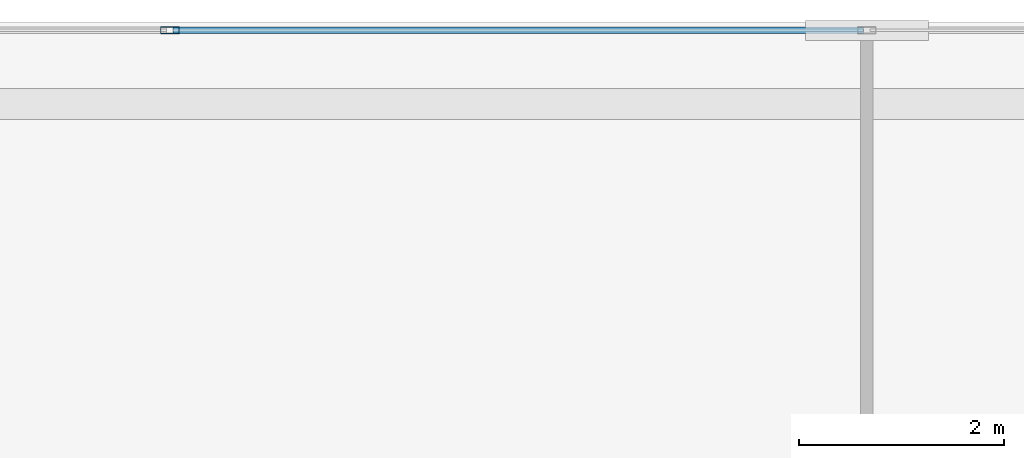
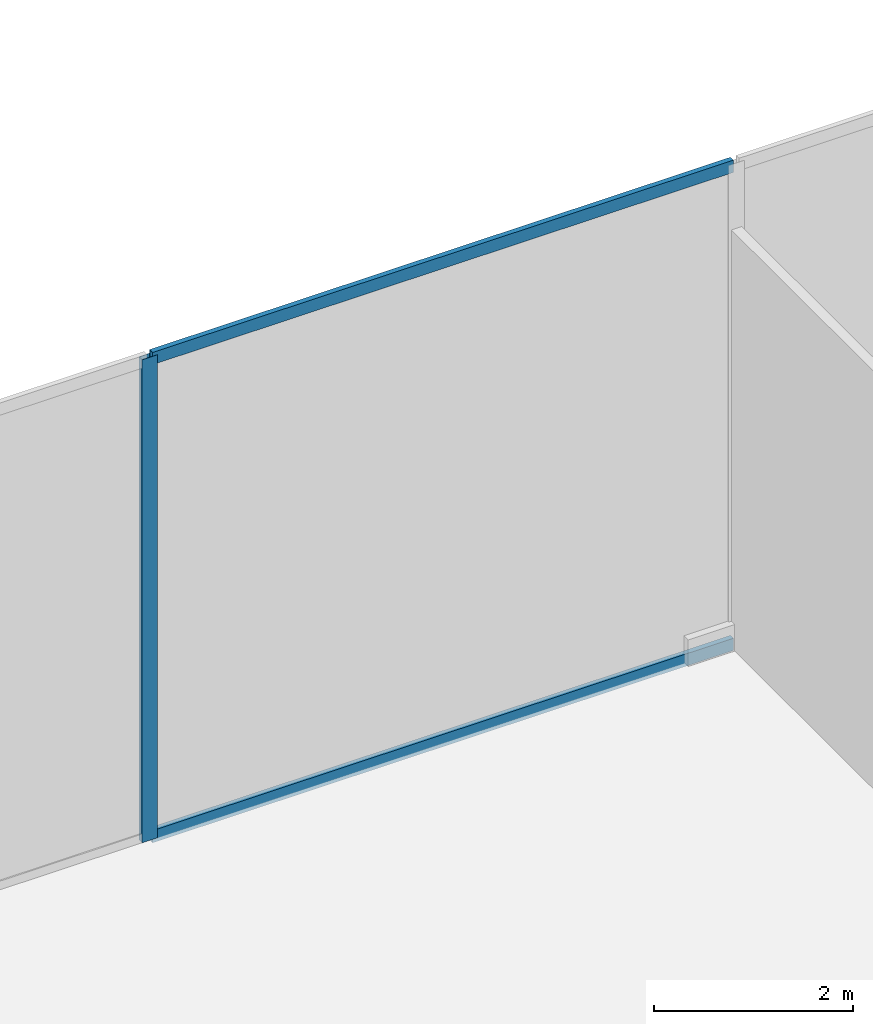
# One storey, part 22 of 41: 3 members, 1 element without a shape of its own.
"""IFC4 building model written with IfcOpenShell, lengths in metres."""

from ifc_helpers import new_model, si_unit, direction, frame, origin, origin_2d, place, context, subcontext, project, spatial, hollow_rectangle, extrude, source, transform, mapped, material, layer, layer_set, material_profile, profile_set, type_object, element, aggregate, save


model = new_model("IFC4")

# Units and contexts
model_context = context("Model", 3, precision=1e-05, world=origin(), true_north=direction((0.0, 1.0)))
body_context = subcontext(model_context, "Body", "Model", "MODEL_VIEW")
ifc_project = project(units=[si_unit("LENGTHUNIT", "METRE"), si_unit("AREAUNIT", "SQUARE_METRE"), si_unit("VOLUMEUNIT", "CUBIC_METRE"), si_unit("PLANEANGLEUNIT", "RADIAN"), si_unit("MASSUNIT", "GRAM", prefix="KILO"), si_unit("THERMODYNAMICTEMPERATUREUNIT", "KELVIN"), si_unit("POWERUNIT", "WATT")], contexts=[model_context])

# Site, building, storey
site_placement = place(None, origin())
site = spatial("IfcSite", under=ifc_project, at=site_placement, CompositionType="ELEMENT")
building_placement = place(site_placement, origin())
building = spatial("IfcBuilding", under=site, at=building_placement, Name="Yunzhuo Pagoda Commons", CompositionType="ELEMENT")
storey_placement = place(building_placement, frame((0.0, 0.0, 19.199951171875)))
storey = spatial("IfcBuildingStorey", under=building, at=storey_placement, Name="L05", CompositionType="ELEMENT", Elevation=19.199951171875)

# Curtain wall, members
ifc_material = material(Name="Anodized aluminium 6063-T6", Category="aluminium")
ifc_layer = layer(ifc_material, 0.179931640625)
ifc_layer_set = layer_set([ifc_layer], Name="Anodized aluminium 6063-T6")
curtain_wall_type = type_object("IfcCurtainWallType", Name="CW-POD Waterfront Podium Curtain Wall", PredefinedType="NOTDEFINED", material=ifc_layer_set)
curtain_wall_placement = place(storey_placement, origin())
curtain_wall = element("IfcCurtainWall", 1, at=curtain_wall_placement, inside=storey, type_object=curtain_wall_type, Name="L05 curtain wall CW-L05-N3", PredefinedType="NOTDEFINED")
ifc_material_profile_1 = material_profile(ifc_material, hollow_rectangle(XDim=0.06005859375, YDim=0.14990234375, WallThickness=0.00390625, at=origin_2d()), Name="Anodized aluminium 6063-T6")
ifc_profile_set_1 = profile_set([ifc_material_profile_1], Name="Anodized aluminium 6063-T6")
member_type_1 = type_object("IfcMemberType", Name="CW-POD-T Transom RHS 150x60x4", PredefinedType="USERDEFINED", material=ifc_profile_set_1)
shared_shape_1 = source(origin(), body_context, "Body", "SweptSolid", [
    extrude(hollow_rectangle(XDim=0.06005859375, YDim=0.14990234375, WallThickness=0.00390625, at=origin_2d()), origin(), (0.0, 0.0, 1.0), 6.735107421875),
])
member_1_placement = place(storey_placement, frame((41.232421875, 81.919921875, 0.0302734375), z_axis=(1.0, 0.0, 0.0), x_axis=(0.0, 1.0, 0.0)))
member_1 = element("IfcMember", 2, at=member_1_placement, type_object=member_type_1, Name="CW transom 2.1", ObjectType="TRANSOM", PredefinedType="USERDEFINED", context=body_context, shape_type="MappedRepresentation", body=[
    mapped(shared_shape_1, transform((0.0, 0.0, 0.0), scale=1.0)),
])
member_2_placement = place(storey_placement, frame((41.232421875, 81.919921875, 5.89013671875), z_axis=(1.0, 0.0, 0.0), x_axis=(0.0, 1.0, 0.0)))
member_2 = element("IfcMember", 3, at=member_2_placement, type_object=member_type_1, Name="CW transom 2.2", ObjectType="TRANSOM", PredefinedType="USERDEFINED", context=body_context, shape_type="MappedRepresentation", body=[
    mapped(shared_shape_1, transform((0.0, 0.0, 0.0), scale=1.0)),
])
ifc_material_profile_2 = material_profile(ifc_material, hollow_rectangle(XDim=0.06494140625, YDim=0.179931640625, WallThickness=0.00390625, at=origin_2d()), Name="Anodized aluminium 6063-T6")
ifc_profile_set_2 = profile_set([ifc_material_profile_2], Name="Anodized aluminium 6063-T6")
member_type_2 = type_object("IfcMemberType", Name="CW-POD-M Mullion RHS 180x65x4", PredefinedType="MULLION", material=ifc_profile_set_2)
shared_shape_2 = source(origin(), body_context, "Body", "SweptSolid", [
    extrude(hollow_rectangle(XDim=0.06494140625, YDim=0.179931640625, WallThickness=0.00390625, at=origin_2d()), origin(), (0.0, 0.0, 1.0), 5.920166015625),
])
member_3_placement = place(storey_placement, frame((41.199951171875, 81.919921875, 0.0), z_axis=(0.0, 0.0, 1.0), x_axis=(0.0, 1.0, 0.0)))
member_3 = element("IfcMember", 4, at=member_3_placement, type_object=member_type_2, Name="CW mullion 2", PredefinedType="MULLION", context=body_context, shape_type="MappedRepresentation", body=[
    mapped(shared_shape_2, transform((0.0, 0.0, 0.0), scale=1.0)),
])
aggregate(curtain_wall, [member_3, member_1, member_2])

save(model, "model.ifc")
